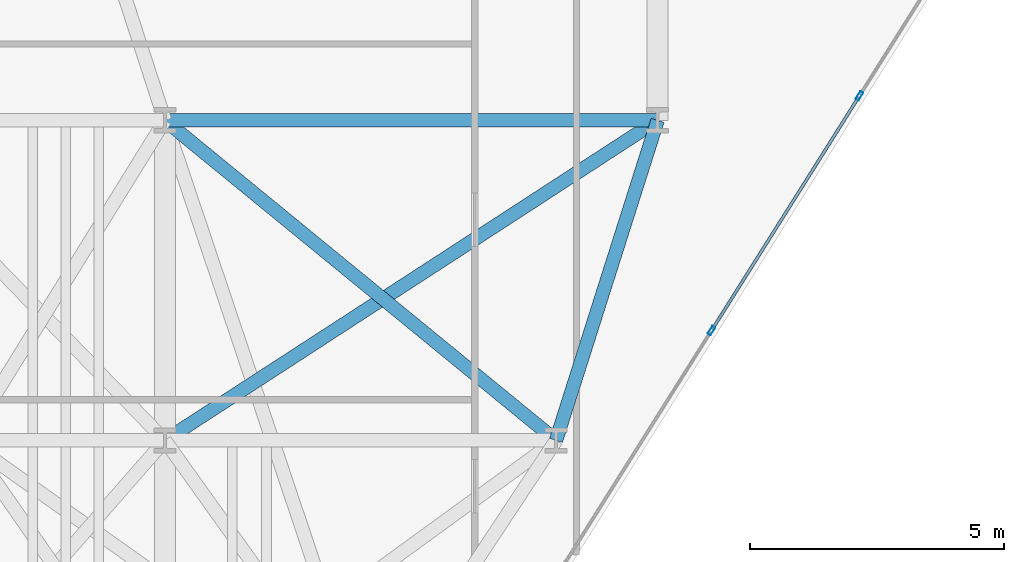
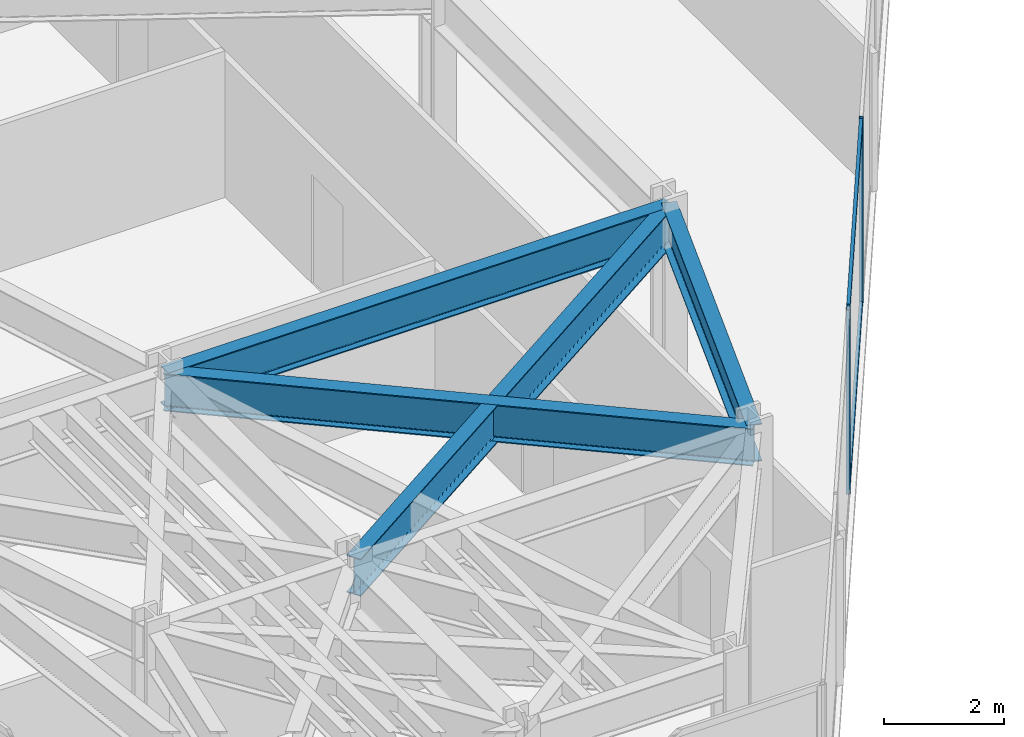
# One storey, part 6 of 24: 4 beams, 4 members, 1 element without a shape of its own.
"""IFC4 building model written with IfcOpenShell, lengths in metres."""

from ifc_helpers import new_model, si_unit, direction, frame, origin, origin_2d, place, context, subcontext, project, spatial, hollow_rectangle, i_section, extrude, material, layer, layer_set, material_profile, profile_set, type_object, element, aggregate, save


model = new_model("IFC4")

# Units and contexts
model_context = context("Model", 3, precision=1e-05, world=origin(), true_north=direction((0.0, 1.0)))
body_context = subcontext(model_context, "Body", "Model", "MODEL_VIEW")
ifc_project = project(units=[si_unit("LENGTHUNIT", "METRE"), si_unit("AREAUNIT", "SQUARE_METRE"), si_unit("VOLUMEUNIT", "CUBIC_METRE"), si_unit("PLANEANGLEUNIT", "RADIAN"), si_unit("MASSUNIT", "GRAM", prefix="KILO")], contexts=[model_context])

# Site, building, storey
site_placement = place(None, origin())
site = spatial("IfcSite", under=ifc_project, at=site_placement, CompositionType="ELEMENT")
building_placement = place(site_placement, origin())
building = spatial("IfcBuilding", under=site, at=building_placement, Name="Kravanh Interchange Tower", CompositionType="ELEMENT")
storey_placement = place(building_placement, frame((0.0, 0.0, 61.5)))
storey = spatial("IfcBuildingStorey", under=building, at=storey_placement, Name="L14", CompositionType="ELEMENT", Elevation=61.5)

# Curtain wall, members
ifc_material_1 = material(Name="Anodised Bronze Aluminium", Category="aluminium")
ifc_layer = layer(ifc_material_1, 0.179931640625)
ifc_layer_set = layer_set([ifc_layer], Name="Unitised Curtain Wall System CW-Z1 Lower Office")
curtain_wall_type = type_object("IfcCurtainWallType", Name="Unitised Curtain Wall System CW-Z1 Lower Office", PredefinedType="NOTDEFINED", material=ifc_layer_set)
curtain_wall_placement = place(storey_placement, origin())
curtain_wall = element("IfcCurtainWall", 1, at=curtain_wall_placement, inside=storey, type_object=curtain_wall_type, Name="L14 Unitised Curtain Wall CW-L14-05", PredefinedType="NOTDEFINED")
ifc_material_2 = material(Name="Anodised Bronze Aluminium", Category="aluminium")
ifc_material_profile_1 = material_profile(ifc_material_2, hollow_rectangle(XDim=0.070068359375, YDim=0.179931640625, WallThickness=0.00390625, at=origin_2d()), Name="ALU70X180X4")
ifc_profile_set_1 = profile_set([ifc_material_profile_1], Name="Anodised Bronze Aluminium")
member_type_1 = type_object("IfcMemberType", Name="Curtain Wall Mullion ALU70X180X4 Bronze", PredefinedType="MULLION", material=ifc_profile_set_1)
member_1_placement = place(storey_placement, frame((31.173583984375, 14.98291015625, 0.0), z_axis=(0.0, 0.0, 1.0), x_axis=(0.845925530786, -0.53330103728, 0.0)))
member_1 = element("IfcMember", 2, at=member_1_placement, type_object=member_type_1, Name="CW-Z1 mullion 3", PredefinedType="MULLION", context=body_context, shape_type="SweptSolid", body=[
    extrude(hollow_rectangle(XDim=0.070068359375, YDim=0.179931640625, WallThickness=0.00390625, at=origin_2d()), origin(), (0.0, 0.0, 1.0), 3.739990234375),
])
member_2_placement = place(storey_placement, frame((28.26025390625, 10.362060546875, 0.0), z_axis=(0.0, 0.0, 1.0), x_axis=(0.845925530786, -0.53330103728, 0.0)))
member_2 = element("IfcMember", 3, at=member_2_placement, type_object=member_type_1, Name="CW-Z1 mullion 4", PredefinedType="MULLION", context=body_context, shape_type="SweptSolid", body=[
    extrude(hollow_rectangle(XDim=0.070068359375, YDim=0.179931640625, WallThickness=0.00390625, at=origin_2d()), origin(), (0.0, 0.0, 1.0), 3.739990234375),
])
ifc_material_3 = material(Name="Anodised Bronze Aluminium", Category="aluminium")
ifc_material_profile_2 = material_profile(ifc_material_3, hollow_rectangle(XDim=0.06005859375, YDim=0.139892578125, WallThickness=0.00390625, at=origin_2d()), Name="ALU60X140X4")
ifc_profile_set_2 = profile_set([ifc_material_profile_2], Name="Anodised Bronze Aluminium")
member_type_2 = type_object("IfcMemberType", Name="Curtain Wall Transom ALU60X140X4 Bronze", PredefinedType="USERDEFINED", material=ifc_profile_set_2)
member_3_placement = place(storey_placement, frame((31.15478515625, 14.953369140625, 0.030029296875), z_axis=(-0.533279090152, -0.845939366626, 0.0), x_axis=(0.845939366626, -0.533279090152, 0.0)))
member_3 = element("IfcMember", 4, at=member_3_placement, type_object=member_type_2, Name="CW-Z1 transom 3.1", ObjectType="TRANSOM", PredefinedType="USERDEFINED", context=body_context, shape_type="SweptSolid", body=[
    extrude(hollow_rectangle(XDim=0.06005859375, YDim=0.139892578125, WallThickness=0.00390625, at=origin_2d()), origin(), (0.0, 0.0, 1.0), 5.392578125),
])
member_4_placement = place(storey_placement, frame((31.15478515625, 14.953369140625, 3.7099609375), z_axis=(-0.533279090152, -0.845939366626, 0.0), x_axis=(0.845939366626, -0.533279090152, 0.0)))
member_4 = element("IfcMember", 5, at=member_4_placement, type_object=member_type_2, Name="CW-Z1 transom 3.2", ObjectType="TRANSOM", PredefinedType="USERDEFINED", context=body_context, shape_type="SweptSolid", body=[
    extrude(hollow_rectangle(XDim=0.06005859375, YDim=0.139892578125, WallThickness=0.00390625, at=origin_2d()), origin(), (0.0, 0.0, 1.0), 5.392578125),
])
aggregate(curtain_wall, [member_1, member_2, member_3, member_4])

# Beams
ifc_material_4 = material(Name="Structural Steel S355", Category="steel")
ifc_material_profile_3 = material_profile(ifc_material_4, i_section(OverallWidth=0.26708984375, OverallDepth=0.761962890625, WebThickness=0.014404296875, FlangeThickness=0.021484375, FilletRadius=0.02490234375, at=origin_2d()), Name="W30X116")
ifc_profile_set_3 = profile_set([ifc_material_profile_3], Name="Structural Steel S355")
beam_type = type_object("IfcBeamType", Name="Floor Spandrel W30X116 Structural Steel S355", PredefinedType="SPANDREL", material=ifc_profile_set_3)
beam_1_placement = place(storey_placement, frame((17.5, 8.199951171875, 3.35888671875), z_axis=(0.838637911458, 0.544689318295, 0.0), x_axis=(-0.544689318295, 0.838637911458, 0.0)))
element("IfcBeam", 6, at=beam_1_placement, inside=storey, type_object=beam_type, Name="L14 Perimeter Spandrel 139", PredefinedType="SPANDREL", context=body_context, shape_type="SweptSolid", body=[
    extrude(i_section(OverallWidth=0.26708984375, OverallDepth=0.761962890625, WebThickness=0.014404296875, FlangeThickness=0.021484375, FilletRadius=0.02490234375, at=origin_2d()), origin(), (0.0, 0.0, 1.0), 11.56640625),
])
beam_2_placement = place(storey_placement, frame((25.199951171875, 8.199951171875, 3.35888671875), z_axis=(0.30257700201, 0.953124943465, 0.0), x_axis=(-0.953124943465, 0.30257700201, 0.0)))
element("IfcBeam", 7, at=beam_2_placement, inside=storey, type_object=beam_type, Name="L14 Perimeter Spandrel 140", PredefinedType="SPANDREL", context=body_context, shape_type="SweptSolid", body=[
    extrude(i_section(OverallWidth=0.26708984375, OverallDepth=0.761962890625, WebThickness=0.014404296875, FlangeThickness=0.021484375, FilletRadius=0.02490234375, at=origin_2d()), origin(), (0.0, 0.0, 1.0), 6.60986328125),
])
beam_3_placement = place(storey_placement, frame((25.199951171875, 8.199951171875, 3.35888671875), z_axis=(-0.773952925799, 0.633243135491, 0.0), x_axis=(-0.633243135491, -0.773952925799, 0.0)))
element("IfcBeam", 8, at=beam_3_placement, inside=storey, type_object=beam_type, Name="L14 Perimeter Spandrel 141", PredefinedType="SPANDREL", context=body_context, shape_type="SweptSolid", body=[
    extrude(i_section(OverallWidth=0.26708984375, OverallDepth=0.761962890625, WebThickness=0.014404296875, FlangeThickness=0.021484375, FilletRadius=0.02490234375, at=origin_2d()), origin(), (0.0, 0.0, 1.0), 9.948974609375),
])
beam_4_placement = place(storey_placement, frame((17.5, 14.5, 3.35888671875), z_axis=(1.0, 0.0, 0.0), x_axis=(0.0, 1.0, 0.0)))
element("IfcBeam", 9, at=beam_4_placement, inside=storey, type_object=beam_type, Name="L14 Perimeter Spandrel 144", PredefinedType="SPANDREL", context=body_context, shape_type="SweptSolid", body=[
    extrude(i_section(OverallWidth=0.26708984375, OverallDepth=0.761962890625, WebThickness=0.014404296875, FlangeThickness=0.021484375, FilletRadius=0.02490234375, at=origin_2d()), origin(), (0.0, 0.0, 1.0), 9.699951171875),
])

save(model, "model.ifc")
